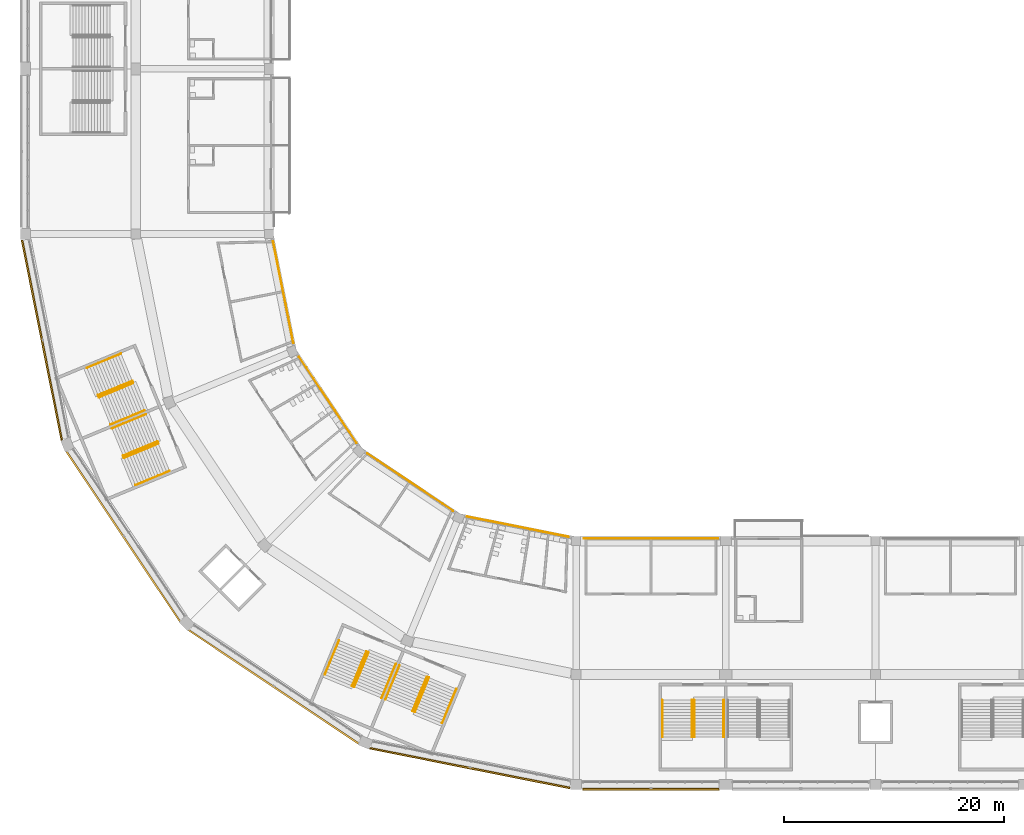
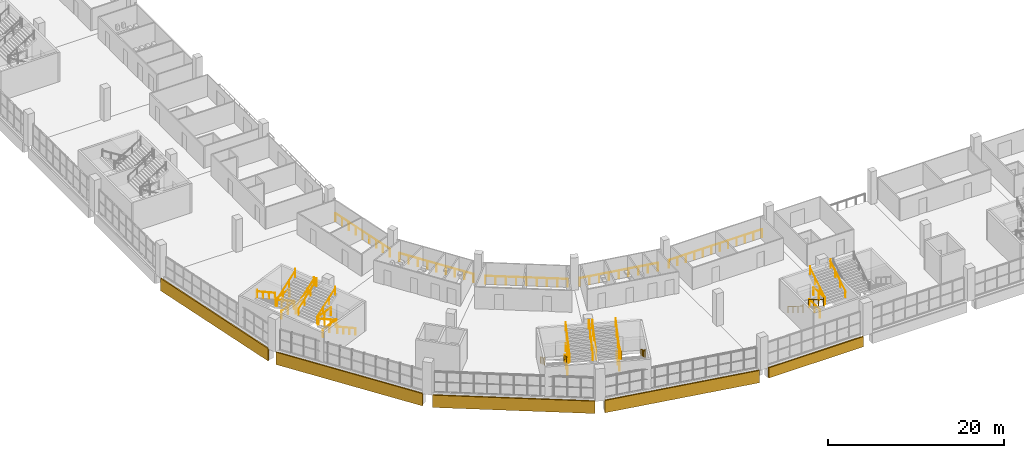
# One storey, part 183 of 199: 35 railings, 5 coverings.
"""IFC4 building model written with IfcOpenShell, lengths in metres."""

from ifc_helpers import new_model, si_unit, direction, frame, origin, origin_2d, place, context, subcontext, project, spatial, polyline, circle, outline, extrude, material, layer, layer_set, type_object, element, save


model = new_model("IFC4")

# Units and contexts
model_context = context("Model", 3, precision=1e-05, world=origin(), true_north=direction((0.0, 1.0)))
body_context = subcontext(model_context, "Body", "Model", "MODEL_VIEW")
ifc_project = project(units=[si_unit("LENGTHUNIT", "METRE"), si_unit("AREAUNIT", "SQUARE_METRE"), si_unit("VOLUMEUNIT", "CUBIC_METRE"), si_unit("PLANEANGLEUNIT", "RADIAN"), si_unit("MASSUNIT", "GRAM", prefix="KILO")], contexts=[model_context])

# Site, building, storey
site_placement = place(None, origin())
site = spatial("IfcSite", under=ifc_project, at=site_placement, CompositionType="ELEMENT")
building_placement = place(site_placement, origin())
building = spatial("IfcBuilding", under=site, at=building_placement, Name="Ogive Plaza Stadium", CompositionType="ELEMENT")
storey_placement = place(building_placement, frame((0.0, 0.0, 9.0)))
storey = spatial("IfcBuildingStorey", under=building, at=storey_placement, Name="L02", CompositionType="ELEMENT", Elevation=9.0)

# Railings
ifc_material_1 = material(Name="Steel ASTM A572 Grade 50", Category="steel")
railing_type_1 = type_object("IfcRailingType", Name="Guard 1100", PredefinedType="GUARDRAIL", material=ifc_material_1)
for number, where, name in (
    (1, (-23.375, -94.85009765625, 0.0), "Stair well guard ST16A L02"),
    (2, (-23.375, -95.81005859375, 2.25), "Stair well guard ST16A L02"),
):
    element("IfcRailing", number, at=place(storey_placement, frame(where)), inside=storey, type_object=railing_type_1, Name=name, PredefinedType="GUARDRAIL", context=body_context, shape_type="SweptSolid", body=[
        extrude(circle(Radius=0.02392578125, at=origin_2d()), frame((0.0, 0.0, 1.076171875), z_axis=(0.0, -1.0, 0.0), x_axis=(1.0, 0.0, 0.0)), (0.0, 0.0, 1.0), 2.39990234375),
        extrude(circle(Radius=0.02099609375, at=origin_2d()), origin(), (0.0, 0.0, 1.0), 1.052001953125),
        extrude(circle(Radius=0.02099609375, at=origin_2d()), frame((0.0, -1.199951171875, 0.0)), (0.0, 0.0, 1.0), 1.052001953125),
        extrude(circle(Radius=0.02099609375, at=origin_2d()), frame((0.0, -2.39990234375, 0.0)), (0.0, 0.0, 1.0), 1.052001953125),
    ])
for number, where, name in (
    (3, (-52.955078125, -90.48779296875, 0.0), "Stair well guard ST18A L02"),
    (4, (-53.322509765625, -91.374755859375, 2.25), "Stair well guard ST18A L02"),
    (5, (-47.4580078125, -92.764892578125, 0.0), "Stair well guard ST18B L02"),
    (6, (-47.825439453125, -93.651611328125, 2.25), "Stair well guard ST18B L02"),
):
    element("IfcRailing", number, at=place(storey_placement, frame(where)), inside=storey, type_object=railing_type_1, Name=name, PredefinedType="GUARDRAIL", context=body_context, shape_type="SweptSolid", body=[
        extrude(circle(Radius=0.02392578125, at=origin_2d()), frame((0.0, 0.0, 1.076171875), z_axis=(-0.382693194178, -0.923875488976, 0.0), x_axis=(0.923875488976, -0.382693194178, 0.0)), (0.0, 0.0, 1.0), 2.39990234375),
        extrude(circle(Radius=0.02099609375, at=origin_2d()), origin(), (0.0, 0.0, 1.0), 1.052001953125),
        extrude(circle(Radius=0.02099609375, at=origin_2d()), frame((-0.459228515625, -1.108642578125, 0.0)), (0.0, 0.0, 1.0), 1.052001953125),
        extrude(circle(Radius=0.02099609375, at=origin_2d()), frame((-0.91845703125, -2.21728515625, 0.0)), (0.0, 0.0, 1.0), 1.052001953125),
    ])
for number, where, name in (
    (7, (-74.264892578125, -65.9580078125, 0.0), "Stair well guard ST20A L02"),
    (8, (-75.151611328125, -66.325439453125, 2.25), "Stair well guard ST20A L02"),
    (9, (-71.98779296875, -71.455078125, 0.0), "Stair well guard ST20B L02"),
    (10, (-72.874755859375, -71.822509765625, 2.25), "Stair well guard ST20B L02"),
):
    element("IfcRailing", number, at=place(storey_placement, frame(where)), inside=storey, type_object=railing_type_1, Name=name, PredefinedType="GUARDRAIL", context=body_context, shape_type="SweptSolid", body=[
        extrude(circle(Radius=0.02392578125, at=origin_2d()), frame((0.0, 0.0, 1.076171875), z_axis=(-0.923875488976, -0.382693194178, 0.0), x_axis=(0.382693194178, -0.923875488976, 0.0)), (0.0, 0.0, 1.0), 2.39990234375),
        extrude(circle(Radius=0.02099609375, at=origin_2d()), origin(), (0.0, 0.0, 1.0), 1.052001953125),
        extrude(circle(Radius=0.02099609375, at=origin_2d()), frame((-1.108642578125, -0.459228515625, 0.0)), (0.0, 0.0, 1.0), 1.052001953125),
        extrude(circle(Radius=0.02099609375, at=origin_2d()), frame((-2.21728515625, -0.91845703125, 0.0)), (0.0, 0.0, 1.0), 1.052001953125),
    ])
railing_1_placement = place(storey_placement, frame((-21.10009765625, -80.14990234375, 0.0)))
element("IfcRailing", 11, at=railing_1_placement, inside=storey, type_object=railing_type_1, Name="Guard L02 B16", PredefinedType="GUARDRAIL", context=body_context, shape_type="SweptSolid", body=[
    extrude(circle(Radius=0.02392578125, at=origin_2d()), frame((0.0, 0.0, 1.076171875), z_axis=(-1.0, 0.0, 0.0), x_axis=(0.0, -1.0, 0.0)), (0.0, 0.0, 1.0), 12.199951171875),
    extrude(circle(Radius=0.02099609375, at=origin_2d()), origin(), (0.0, 0.0, 1.0), 1.052001953125),
    extrude(circle(Radius=0.02099609375, at=origin_2d()), frame((-1.109130859375, 0.0, 0.0)), (0.0, 0.0, 1.0), 1.052001953125),
    extrude(circle(Radius=0.02099609375, at=origin_2d()), frame((-2.21826171875, 0.0, 0.0)), (0.0, 0.0, 1.0), 1.052001953125),
    extrude(circle(Radius=0.02099609375, at=origin_2d()), frame((-3.3271484375, 0.0, 0.0)), (0.0, 0.0, 1.0), 1.052001953125),
    extrude(circle(Radius=0.02099609375, at=origin_2d()), frame((-4.436279296875, 0.0, 0.0)), (0.0, 0.0, 1.0), 1.052001953125),
    extrude(circle(Radius=0.02099609375, at=origin_2d()), frame((-5.54541015625, 0.0, 0.0)), (0.0, 0.0, 1.0), 1.052001953125),
    extrude(circle(Radius=0.02099609375, at=origin_2d()), frame((-6.654541015625, 0.0, 0.0)), (0.0, 0.0, 1.0), 1.052001953125),
    extrude(circle(Radius=0.02099609375, at=origin_2d()), frame((-7.763671875, 0.0, 0.0)), (0.0, 0.0, 1.0), 1.052001953125),
    extrude(circle(Radius=0.02099609375, at=origin_2d()), frame((-8.872802734375, 0.0, 0.0)), (0.0, 0.0, 1.0), 1.052001953125),
    extrude(circle(Radius=0.02099609375, at=origin_2d()), frame((-9.981689453125, 0.0, 0.0)), (0.0, 0.0, 1.0), 1.052001953125),
    extrude(circle(Radius=0.02099609375, at=origin_2d()), frame((-11.0908203125, 0.0, 0.0)), (0.0, 0.0, 1.0), 1.052001953125),
    extrude(circle(Radius=0.02099609375, at=origin_2d()), frame((-12.199951171875, 0.0, 0.0)), (0.0, 0.0, 1.0), 1.052001953125),
])
railing_2_placement = place(storey_placement, frame((-34.6865234375, -80.013427734375, 0.0)))
element("IfcRailing", 12, at=railing_2_placement, inside=storey, type_object=railing_type_1, Name="Guard L02 B17", PredefinedType="GUARDRAIL", context=body_context, shape_type="SweptSolid", body=[
    extrude(circle(Radius=0.02392578125, at=origin_2d()), frame((0.0, 0.0, 1.076171875), z_axis=(-0.980786170296, 0.19508584817, 0.0), x_axis=(-0.19508584817, -0.980786170296, 0.0)), (0.0, 0.0, 1.0), 9.388427734375),
    extrude(circle(Radius=0.02099609375, at=origin_2d()), origin(), (0.0, 0.0, 1.0), 1.052001953125),
    extrude(circle(Radius=0.02099609375, at=origin_2d()), frame((-1.15087890625, 0.22900390625, 0.0)), (0.0, 0.0, 1.0), 1.052001953125),
    extrude(circle(Radius=0.02099609375, at=origin_2d()), frame((-2.302001953125, 0.4580078125, 0.0)), (0.0, 0.0, 1.0), 1.052001953125),
    extrude(circle(Radius=0.02099609375, at=origin_2d()), frame((-3.453125, 0.686767578125, 0.0)), (0.0, 0.0, 1.0), 1.052001953125),
    extrude(circle(Radius=0.02099609375, at=origin_2d()), frame((-4.60400390625, 0.915771484375, 0.0)), (0.0, 0.0, 1.0), 1.052001953125),
    extrude(circle(Radius=0.02099609375, at=origin_2d()), frame((-5.7548828125, 1.144775390625, 0.0)), (0.0, 0.0, 1.0), 1.052001953125),
    extrude(circle(Radius=0.02099609375, at=origin_2d()), frame((-6.906005859375, 1.37353515625, 0.0)), (0.0, 0.0, 1.0), 1.052001953125),
    extrude(circle(Radius=0.02099609375, at=origin_2d()), frame((-8.05712890625, 1.6025390625, 0.0)), (0.0, 0.0, 1.0), 1.052001953125),
    extrude(circle(Radius=0.02099609375, at=origin_2d()), frame((-9.2080078125, 1.83154296875, 0.0)), (0.0, 0.0, 1.0), 1.052001953125),
])
railing_3_placement = place(storey_placement, frame((-45.163330078125, -77.65625, 0.0)))
element("IfcRailing", 13, at=railing_3_placement, inside=storey, type_object=railing_type_1, Name="Guard L02 B18", PredefinedType="GUARDRAIL", context=body_context, shape_type="SweptSolid", body=[
    extrude(circle(Radius=0.02392578125, at=origin_2d()), frame((0.0, 0.0, 1.076171875), z_axis=(-0.831473741836, 0.555564052686, 0.0), x_axis=(-0.555564052686, -0.831473741836, 0.0)), (0.0, 0.0, 1.0), 9.388427734375),
    extrude(circle(Radius=0.02099609375, at=origin_2d()), origin(), (0.0, 0.0, 1.0), 1.052001953125),
    extrude(circle(Radius=0.02099609375, at=origin_2d()), frame((-0.975830078125, 0.65185546875, 0.0)), (0.0, 0.0, 1.0), 1.052001953125),
    extrude(circle(Radius=0.02099609375, at=origin_2d()), frame((-1.95166015625, 1.303955078125, 0.0)), (0.0, 0.0, 1.0), 1.052001953125),
    extrude(circle(Radius=0.02099609375, at=origin_2d()), frame((-2.92724609375, 1.9560546875, 0.0)), (0.0, 0.0, 1.0), 1.052001953125),
    extrude(circle(Radius=0.02099609375, at=origin_2d()), frame((-3.903076171875, 2.60791015625, 0.0)), (0.0, 0.0, 1.0), 1.052001953125),
    extrude(circle(Radius=0.02099609375, at=origin_2d()), frame((-4.87890625, 3.259765625, 0.0)), (0.0, 0.0, 1.0), 1.052001953125),
    extrude(circle(Radius=0.02099609375, at=origin_2d()), frame((-5.8544921875, 3.911865234375, 0.0)), (0.0, 0.0, 1.0), 1.052001953125),
    extrude(circle(Radius=0.02099609375, at=origin_2d()), frame((-6.830322265625, 4.56396484375, 0.0)), (0.0, 0.0, 1.0), 1.052001953125),
    extrude(circle(Radius=0.02099609375, at=origin_2d()), frame((-7.80615234375, 5.2158203125, 0.0)), (0.0, 0.0, 1.0), 1.052001953125),
])
railing_4_placement = place(storey_placement, frame((-53.9404296875, -71.469482421875, 0.0)))
element("IfcRailing", 14, at=railing_4_placement, inside=storey, type_object=railing_type_1, Name="Guard L02 B19", PredefinedType="GUARDRAIL", context=body_context, shape_type="SweptSolid", body=[
    extrude(circle(Radius=0.02392578125, at=origin_2d()), frame((0.0, 0.0, 1.076171875), z_axis=(-0.555564052686, 0.831473741836, 0.0), x_axis=(-0.831473741836, -0.555564052686, 0.0)), (0.0, 0.0, 1.0), 9.388427734375),
    extrude(circle(Radius=0.02099609375, at=origin_2d()), origin(), (0.0, 0.0, 1.0), 1.052001953125),
    extrude(circle(Radius=0.02099609375, at=origin_2d()), frame((-0.65185546875, 0.975830078125, 0.0)), (0.0, 0.0, 1.0), 1.052001953125),
    extrude(circle(Radius=0.02099609375, at=origin_2d()), frame((-1.303955078125, 1.95166015625, 0.0)), (0.0, 0.0, 1.0), 1.052001953125),
    extrude(circle(Radius=0.02099609375, at=origin_2d()), frame((-1.9560546875, 2.92724609375, 0.0)), (0.0, 0.0, 1.0), 1.052001953125),
    extrude(circle(Radius=0.02099609375, at=origin_2d()), frame((-2.60791015625, 3.903076171875, 0.0)), (0.0, 0.0, 1.0), 1.052001953125),
    extrude(circle(Radius=0.02099609375, at=origin_2d()), frame((-3.259765625, 4.87890625, 0.0)), (0.0, 0.0, 1.0), 1.052001953125),
    extrude(circle(Radius=0.02099609375, at=origin_2d()), frame((-3.911865234375, 5.8544921875, 0.0)), (0.0, 0.0, 1.0), 1.052001953125),
    extrude(circle(Radius=0.02099609375, at=origin_2d()), frame((-4.56396484375, 6.830322265625, 0.0)), (0.0, 0.0, 1.0), 1.052001953125),
    extrude(circle(Radius=0.02099609375, at=origin_2d()), frame((-5.2158203125, 7.80615234375, 0.0)), (0.0, 0.0, 1.0), 1.052001953125),
])
railing_5_placement = place(storey_placement, frame((-59.681884765625, -62.39453125, 0.0)))
element("IfcRailing", 15, at=railing_5_placement, inside=storey, type_object=railing_type_1, Name="Guard L02 B20", PredefinedType="GUARDRAIL", context=body_context, shape_type="SweptSolid", body=[
    extrude(circle(Radius=0.02392578125, at=origin_2d()), frame((0.0, 0.0, 1.076171875), z_axis=(-0.19508584817, 0.980786170296, 0.0), x_axis=(-0.980786170296, -0.19508584817, 0.0)), (0.0, 0.0, 1.0), 9.388427734375),
    extrude(circle(Radius=0.02099609375, at=origin_2d()), origin(), (0.0, 0.0, 1.0), 1.052001953125),
    extrude(circle(Radius=0.02099609375, at=origin_2d()), frame((-0.22900390625, 1.15087890625, 0.0)), (0.0, 0.0, 1.0), 1.052001953125),
    extrude(circle(Radius=0.02099609375, at=origin_2d()), frame((-0.4580078125, 2.302001953125, 0.0)), (0.0, 0.0, 1.0), 1.052001953125),
    extrude(circle(Radius=0.02099609375, at=origin_2d()), frame((-0.686767578125, 3.453125, 0.0)), (0.0, 0.0, 1.0), 1.052001953125),
    extrude(circle(Radius=0.02099609375, at=origin_2d()), frame((-0.915771484375, 4.60400390625, 0.0)), (0.0, 0.0, 1.0), 1.052001953125),
    extrude(circle(Radius=0.02099609375, at=origin_2d()), frame((-1.144775390625, 5.7548828125, 0.0)), (0.0, 0.0, 1.0), 1.052001953125),
    extrude(circle(Radius=0.02099609375, at=origin_2d()), frame((-1.37353515625, 6.906005859375, 0.0)), (0.0, 0.0, 1.0), 1.052001953125),
    extrude(circle(Radius=0.02099609375, at=origin_2d()), frame((-1.6025390625, 8.05712890625, 0.0)), (0.0, 0.0, 1.0), 1.052001953125),
    extrude(circle(Radius=0.02099609375, at=origin_2d()), frame((-1.83154296875, 9.2080078125, 0.0)), (0.0, 0.0, 1.0), 1.052001953125),
])
ifc_material_2 = material(Name="Steel ASTM A572 Grade 50", Category="steel")
railing_type_2 = type_object("IfcRailingType", Name="Handrail 900", PredefinedType="HANDRAIL", material=ifc_material_2)
for number, where, name in (
    (16, (-26.1650390625, -94.85009765625, 0.173095703125), "Handrail ST16A L02"),
    (17, (-23.485107421875, -94.85009765625, 0.173095703125), "Handrail ST16A L02"),
):
    element("IfcRailing", number, at=place(storey_placement, frame(where)), inside=storey, type_object=railing_type_2, Name=name, PredefinedType="HANDRAIL", context=body_context, shape_type="SweptSolid", body=[
        extrude(circle(Radius=0.02392578125, at=origin_2d()), frame((0.0, 0.0, 0.8759765625), z_axis=(0.0, -0.850606129759, 0.525803396734), x_axis=(1.0, 0.0, 0.0)), (0.0, 0.0, 1.0), 3.949951171875),
        extrude(circle(Radius=0.02099609375, at=origin_2d()), origin(), (0.0, 0.0, 1.0), 0.851806640625),
        extrude(circle(Radius=0.02099609375, at=origin_2d()), frame((0.0, -1.119873046875, 0.6923828125)), (0.0, 0.0, 1.0), 0.851806640625),
        extrude(circle(Radius=0.02099609375, at=origin_2d()), frame((0.0, -2.239990234375, 1.384521484375)), (0.0, 0.0, 1.0), 0.851806640625),
        extrude(circle(Radius=0.02099609375, at=origin_2d()), frame((0.0, -3.35986328125, 2.076904296875)), (0.0, 0.0, 1.0), 1.10009765625),
    ])
for number, where, name in (
    (18, (-23.264892578125, -98.2099609375, 2.423095703125), "Handrail ST16A L02"),
    (19, (-20.5849609375, -98.2099609375, 2.423095703125), "Handrail ST16A L02"),
):
    element("IfcRailing", number, at=place(storey_placement, frame(where)), inside=storey, type_object=railing_type_2, Name=name, PredefinedType="HANDRAIL", context=body_context, shape_type="SweptSolid", body=[
        extrude(circle(Radius=0.02392578125, at=origin_2d()), frame((0.0, 0.0, 0.8759765625), z_axis=(0.0, 0.850606129759, 0.525803396734), x_axis=(-1.0, 0.0, 0.0)), (0.0, 0.0, 1.0), 3.949951171875),
        extrude(circle(Radius=0.02099609375, at=origin_2d()), origin(), (0.0, 0.0, 1.0), 0.851806640625),
        extrude(circle(Radius=0.02099609375, at=origin_2d()), frame((0.0, 1.119873046875, 0.6923828125)), (0.0, 0.0, 1.0), 0.851806640625),
        extrude(circle(Radius=0.02099609375, at=origin_2d()), frame((0.0, 2.239990234375, 1.384521484375)), (0.0, 0.0, 1.0), 0.851806640625),
        extrude(circle(Radius=0.02099609375, at=origin_2d()), frame((0.0, 3.35986328125, 2.076904296875)), (0.0, 0.0, 1.0), 1.10009765625),
    ])
railing_6_placement = place(storey_placement, frame((-55.53271484375, -89.420166015625, 0.173095703125)))
element("IfcRailing", 20, at=railing_6_placement, inside=storey, type_object=railing_type_2, Name="Handrail ST18A L02", PredefinedType="HANDRAIL", context=body_context, shape_type="SweptSolid", body=[
    extrude(circle(Radius=0.02392578125, at=origin_2d()), frame((0.0, 0.0, 0.8759765625), z_axis=(-0.32553207776, -0.785862990074, 0.525783441334), x_axis=(0.923872479269, -0.382700459954, 0.0)), (0.0, 0.0, 1.0), 3.9501953125),
    extrude(circle(Radius=0.02099609375, at=origin_2d()), origin(), (0.0, 0.0, 1.0), 0.851806640625),
    extrude(circle(Radius=0.02099609375, at=origin_2d()), frame((-0.4287109375, -1.03466796875, 0.6923828125)), (0.0, 0.0, 1.0), 0.851806640625),
    extrude(circle(Radius=0.02099609375, at=origin_2d()), frame((-0.857177734375, -2.069580078125, 1.384521484375)), (0.0, 0.0, 1.0), 0.851806640625),
    extrude(circle(Radius=0.02099609375, at=origin_2d()), frame((-1.285888671875, -3.104248046875, 2.076904296875)), (0.0, 0.0, 1.0), 1.10009765625),
])
railing_7_placement = place(storey_placement, frame((-53.056884765625, -90.44580078125, 0.173095703125)))
element("IfcRailing", 21, at=railing_7_placement, inside=storey, type_object=railing_type_2, Name="Handrail ST18A L02", PredefinedType="HANDRAIL", context=body_context, shape_type="SweptSolid", body=[
    extrude(circle(Radius=0.02392578125, at=origin_2d()), frame((0.0, 0.0, 0.8759765625), z_axis=(-0.325476819766, -0.785878800478, 0.525794019321), x_axis=(0.923898168054, -0.382638439086, 0.0)), (0.0, 0.0, 1.0), 3.949951171875),
    extrude(circle(Radius=0.02099609375, at=origin_2d()), origin(), (0.0, 0.0, 1.0), 0.851806640625),
    extrude(circle(Radius=0.02099609375, at=origin_2d()), frame((-0.428466796875, -1.03466796875, 0.6923828125)), (0.0, 0.0, 1.0), 0.851806640625),
    extrude(circle(Radius=0.02099609375, at=origin_2d()), frame((-0.857177734375, -2.069580078125, 1.384521484375)), (0.0, 0.0, 1.0), 0.851806640625),
    extrude(circle(Radius=0.02099609375, at=origin_2d()), frame((-1.28564453125, -3.104248046875, 2.076904296875)), (0.0, 0.0, 1.0), 1.10009765625),
])
railing_8_placement = place(storey_placement, frame((-54.139404296875, -93.634033203125, 2.423095703125)))
element("IfcRailing", 22, at=railing_8_placement, inside=storey, type_object=railing_type_2, Name="Handrail ST18A L02", PredefinedType="HANDRAIL", context=body_context, shape_type="SweptSolid", body=[
    extrude(circle(Radius=0.02392578125, at=origin_2d()), frame((0.0, 0.0, 0.8759765625), z_axis=(0.325547889718, 0.78583935255, 0.525808980033), x_axis=(-0.923861836433, 0.382726151683, 0.0)), (0.0, 0.0, 1.0), 3.949951171875),
    extrude(circle(Radius=0.02099609375, at=origin_2d()), origin(), (0.0, 0.0, 1.0), 0.851806640625),
    extrude(circle(Radius=0.02099609375, at=origin_2d()), frame((0.4287109375, 1.03466796875, 0.6923828125)), (0.0, 0.0, 1.0), 0.851806640625),
    extrude(circle(Radius=0.02099609375, at=origin_2d()), frame((0.857177734375, 2.0693359375, 1.384521484375)), (0.0, 0.0, 1.0), 0.851806640625),
    extrude(circle(Radius=0.02099609375, at=origin_2d()), frame((1.285888671875, 3.10400390625, 2.076904296875)), (0.0, 0.0, 1.0), 1.10009765625),
])
railing_9_placement = place(storey_placement, frame((-51.663330078125, -94.65966796875, 2.423095703125)))
element("IfcRailing", 23, at=railing_9_placement, inside=storey, type_object=railing_type_2, Name="Handrail ST18A L02", PredefinedType="HANDRAIL", context=body_context, shape_type="SweptSolid", body=[
    extrude(circle(Radius=0.02392578125, at=origin_2d()), frame((0.0, 0.0, 0.8759765625), z_axis=(0.32553207776, 0.785862990074, 0.525783441334), x_axis=(-0.923872479269, 0.382700459954, 0.0)), (0.0, 0.0, 1.0), 3.9501953125),
    extrude(circle(Radius=0.02099609375, at=origin_2d()), origin(), (0.0, 0.0, 1.0), 0.851806640625),
    extrude(circle(Radius=0.02099609375, at=origin_2d()), frame((0.4287109375, 1.03466796875, 0.6923828125)), (0.0, 0.0, 1.0), 0.851806640625),
    extrude(circle(Radius=0.02099609375, at=origin_2d()), frame((0.857177734375, 2.069580078125, 1.384521484375)), (0.0, 0.0, 1.0), 0.851806640625),
    extrude(circle(Radius=0.02099609375, at=origin_2d()), frame((1.285888671875, 3.104248046875, 2.076904296875)), (0.0, 0.0, 1.0), 1.10009765625),
])
for number, where, name in (
    (24, (-47.3564453125, -92.806884765625, 0.173095703125), "Handrail ST18B L02"),
    (25, (-44.88037109375, -93.83251953125, 0.173095703125), "Handrail ST18B L02"),
):
    element("IfcRailing", number, at=place(storey_placement, frame(where)), inside=storey, type_object=railing_type_2, Name=name, PredefinedType="HANDRAIL", context=body_context, shape_type="SweptSolid", body=[
        extrude(circle(Radius=0.02392578125, at=origin_2d()), frame((0.0, 0.0, 0.8759765625), z_axis=(-0.32553207776, -0.785862990074, 0.525783441334), x_axis=(0.923872479269, -0.382700459954, 0.0)), (0.0, 0.0, 1.0), 3.9501953125),
        extrude(circle(Radius=0.02099609375, at=origin_2d()), origin(), (0.0, 0.0, 1.0), 0.851806640625),
        extrude(circle(Radius=0.02099609375, at=origin_2d()), frame((-0.4287109375, -1.03466796875, 0.6923828125)), (0.0, 0.0, 1.0), 0.851806640625),
        extrude(circle(Radius=0.02099609375, at=origin_2d()), frame((-0.857177734375, -2.069580078125, 1.384521484375)), (0.0, 0.0, 1.0), 0.851806640625),
        extrude(circle(Radius=0.02099609375, at=origin_2d()), frame((-1.285888671875, -3.104248046875, 2.076904296875)), (0.0, 0.0, 1.0), 1.10009765625),
    ])
railing_10_placement = place(storey_placement, frame((-51.321533203125, -94.80126953125, 2.423095703125)))
element("IfcRailing", 26, at=railing_10_placement, inside=storey, type_object=railing_type_2, Name="Handrail ST18B L02", PredefinedType="HANDRAIL", context=body_context, shape_type="SweptSolid", body=[
    extrude(circle(Radius=0.02392578125, at=origin_2d()), frame((0.0, 0.0, 0.8759765625), z_axis=(0.32553207776, 0.785862990074, 0.525783441334), x_axis=(-0.923872479269, 0.382700459954, 0.0)), (0.0, 0.0, 1.0), 3.9501953125),
    extrude(circle(Radius=0.02099609375, at=origin_2d()), origin(), (0.0, 0.0, 1.0), 0.851806640625),
    extrude(circle(Radius=0.02099609375, at=origin_2d()), frame((0.4287109375, 1.03466796875, 0.6923828125)), (0.0, 0.0, 1.0), 0.851806640625),
    extrude(circle(Radius=0.02099609375, at=origin_2d()), frame((0.857177734375, 2.069580078125, 1.384521484375)), (0.0, 0.0, 1.0), 0.851806640625),
    extrude(circle(Radius=0.02099609375, at=origin_2d()), frame((1.285888671875, 3.104248046875, 2.076904296875)), (0.0, 0.0, 1.0), 1.10009765625),
])
railing_11_placement = place(storey_placement, frame((-48.845458984375, -95.826904296875, 2.423095703125)))
element("IfcRailing", 27, at=railing_11_placement, inside=storey, type_object=railing_type_2, Name="Handrail ST18B L02", PredefinedType="HANDRAIL", context=body_context, shape_type="SweptSolid", body=[
    extrude(circle(Radius=0.02392578125, at=origin_2d()), frame((0.0, 0.0, 0.8759765625), z_axis=(0.325476819766, 0.785878800478, 0.525794019321), x_axis=(-0.923898168054, 0.382638439086, 0.0)), (0.0, 0.0, 1.0), 3.949951171875),
    extrude(circle(Radius=0.02099609375, at=origin_2d()), origin(), (0.0, 0.0, 1.0), 0.851806640625),
    extrude(circle(Radius=0.02099609375, at=origin_2d()), frame((0.428466796875, 1.03466796875, 0.6923828125)), (0.0, 0.0, 1.0), 0.851806640625),
    extrude(circle(Radius=0.02099609375, at=origin_2d()), frame((0.857177734375, 2.069580078125, 1.384521484375)), (0.0, 0.0, 1.0), 0.851806640625),
    extrude(circle(Radius=0.02099609375, at=origin_2d()), frame((1.28564453125, 3.104248046875, 2.076904296875)), (0.0, 0.0, 1.0), 1.10009765625),
])
for number, where, name in (
    (28, (-75.33251953125, -63.38037109375, 0.173095703125), "Handrail ST20A L02"),
    (29, (-74.306884765625, -65.8564453125, 0.173095703125), "Handrail ST20A L02"),
):
    element("IfcRailing", number, at=place(storey_placement, frame(where)), inside=storey, type_object=railing_type_2, Name=name, PredefinedType="HANDRAIL", context=body_context, shape_type="SweptSolid", body=[
        extrude(circle(Radius=0.02392578125, at=origin_2d()), frame((0.0, 0.0, 0.8759765625), z_axis=(-0.785862990074, -0.32553207776, 0.525783441334), x_axis=(0.382700459954, -0.923872479269, 0.0)), (0.0, 0.0, 1.0), 3.9501953125),
        extrude(circle(Radius=0.02099609375, at=origin_2d()), origin(), (0.0, 0.0, 1.0), 0.851806640625),
        extrude(circle(Radius=0.02099609375, at=origin_2d()), frame((-1.03466796875, -0.4287109375, 0.6923828125)), (0.0, 0.0, 1.0), 0.851806640625),
        extrude(circle(Radius=0.02099609375, at=origin_2d()), frame((-2.069580078125, -0.857177734375, 1.384521484375)), (0.0, 0.0, 1.0), 0.851806640625),
        extrude(circle(Radius=0.02099609375, at=origin_2d()), frame((-3.104248046875, -1.285888671875, 2.076904296875)), (0.0, 0.0, 1.0), 1.10009765625),
    ])
railing_12_placement = place(storey_placement, frame((-77.326904296875, -67.345458984375, 2.423095703125)))
element("IfcRailing", 30, at=railing_12_placement, inside=storey, type_object=railing_type_2, Name="Handrail ST20A L02", PredefinedType="HANDRAIL", context=body_context, shape_type="SweptSolid", body=[
    extrude(circle(Radius=0.02392578125, at=origin_2d()), frame((0.0, 0.0, 0.8759765625), z_axis=(0.785878800478, 0.325476819766, 0.525794019321), x_axis=(-0.382638439086, 0.923898168054, 0.0)), (0.0, 0.0, 1.0), 3.949951171875),
    extrude(circle(Radius=0.02099609375, at=origin_2d()), origin(), (0.0, 0.0, 1.0), 0.851806640625),
    extrude(circle(Radius=0.02099609375, at=origin_2d()), frame((1.03466796875, 0.428466796875, 0.6923828125)), (0.0, 0.0, 1.0), 0.851806640625),
    extrude(circle(Radius=0.02099609375, at=origin_2d()), frame((2.069580078125, 0.857177734375, 1.384521484375)), (0.0, 0.0, 1.0), 0.851806640625),
    extrude(circle(Radius=0.02099609375, at=origin_2d()), frame((3.104248046875, 1.28564453125, 2.076904296875)), (0.0, 0.0, 1.0), 1.10009765625),
])
railing_13_placement = place(storey_placement, frame((-76.30126953125, -69.821533203125, 2.423095703125)))
element("IfcRailing", 31, at=railing_13_placement, inside=storey, type_object=railing_type_2, Name="Handrail ST20A L02", PredefinedType="HANDRAIL", context=body_context, shape_type="SweptSolid", body=[
    extrude(circle(Radius=0.02392578125, at=origin_2d()), frame((0.0, 0.0, 0.8759765625), z_axis=(0.785862990074, 0.32553207776, 0.525783441334), x_axis=(-0.382700459954, 0.923872479269, 0.0)), (0.0, 0.0, 1.0), 3.9501953125),
    extrude(circle(Radius=0.02099609375, at=origin_2d()), origin(), (0.0, 0.0, 1.0), 0.851806640625),
    extrude(circle(Radius=0.02099609375, at=origin_2d()), frame((1.03466796875, 0.4287109375, 0.6923828125)), (0.0, 0.0, 1.0), 0.851806640625),
    extrude(circle(Radius=0.02099609375, at=origin_2d()), frame((2.069580078125, 0.857177734375, 1.384521484375)), (0.0, 0.0, 1.0), 0.851806640625),
    extrude(circle(Radius=0.02099609375, at=origin_2d()), frame((3.104248046875, 1.285888671875, 2.076904296875)), (0.0, 0.0, 1.0), 1.10009765625),
])
railing_14_placement = place(storey_placement, frame((-71.94580078125, -71.556884765625, 0.173095703125)))
element("IfcRailing", 32, at=railing_14_placement, inside=storey, type_object=railing_type_2, Name="Handrail ST20B L02", PredefinedType="HANDRAIL", context=body_context, shape_type="SweptSolid", body=[
    extrude(circle(Radius=0.02392578125, at=origin_2d()), frame((0.0, 0.0, 0.8759765625), z_axis=(-0.785878800478, -0.325476819766, 0.525794019321), x_axis=(0.382638439086, -0.923898168054, 0.0)), (0.0, 0.0, 1.0), 3.949951171875),
    extrude(circle(Radius=0.02099609375, at=origin_2d()), origin(), (0.0, 0.0, 1.0), 0.851806640625),
    extrude(circle(Radius=0.02099609375, at=origin_2d()), frame((-1.03466796875, -0.428466796875, 0.6923828125)), (0.0, 0.0, 1.0), 0.851806640625),
    extrude(circle(Radius=0.02099609375, at=origin_2d()), frame((-2.069580078125, -0.857177734375, 1.384521484375)), (0.0, 0.0, 1.0), 0.851806640625),
    extrude(circle(Radius=0.02099609375, at=origin_2d()), frame((-3.104248046875, -1.28564453125, 2.076904296875)), (0.0, 0.0, 1.0), 1.10009765625),
])
railing_15_placement = place(storey_placement, frame((-70.920166015625, -74.03271484375, 0.173095703125)))
element("IfcRailing", 33, at=railing_15_placement, inside=storey, type_object=railing_type_2, Name="Handrail ST20B L02", PredefinedType="HANDRAIL", context=body_context, shape_type="SweptSolid", body=[
    extrude(circle(Radius=0.02392578125, at=origin_2d()), frame((0.0, 0.0, 0.8759765625), z_axis=(-0.785862990074, -0.32553207776, 0.525783441334), x_axis=(0.382700459954, -0.923872479269, 0.0)), (0.0, 0.0, 1.0), 3.9501953125),
    extrude(circle(Radius=0.02099609375, at=origin_2d()), origin(), (0.0, 0.0, 1.0), 0.851806640625),
    extrude(circle(Radius=0.02099609375, at=origin_2d()), frame((-1.03466796875, -0.4287109375, 0.6923828125)), (0.0, 0.0, 1.0), 0.851806640625),
    extrude(circle(Radius=0.02099609375, at=origin_2d()), frame((-2.069580078125, -0.857177734375, 1.384521484375)), (0.0, 0.0, 1.0), 0.851806640625),
    extrude(circle(Radius=0.02099609375, at=origin_2d()), frame((-3.104248046875, -1.285888671875, 2.076904296875)), (0.0, 0.0, 1.0), 1.10009765625),
])
railing_16_placement = place(storey_placement, frame((-76.15966796875, -70.163330078125, 2.423095703125)))
element("IfcRailing", 34, at=railing_16_placement, inside=storey, type_object=railing_type_2, Name="Handrail ST20B L02", PredefinedType="HANDRAIL", context=body_context, shape_type="SweptSolid", body=[
    extrude(circle(Radius=0.02392578125, at=origin_2d()), frame((0.0, 0.0, 0.8759765625), z_axis=(0.785862990074, 0.32553207776, 0.525783441334), x_axis=(-0.382700459954, 0.923872479269, 0.0)), (0.0, 0.0, 1.0), 3.9501953125),
    extrude(circle(Radius=0.02099609375, at=origin_2d()), origin(), (0.0, 0.0, 1.0), 0.851806640625),
    extrude(circle(Radius=0.02099609375, at=origin_2d()), frame((1.03466796875, 0.4287109375, 0.6923828125)), (0.0, 0.0, 1.0), 0.851806640625),
    extrude(circle(Radius=0.02099609375, at=origin_2d()), frame((2.069580078125, 0.857177734375, 1.384521484375)), (0.0, 0.0, 1.0), 0.851806640625),
    extrude(circle(Radius=0.02099609375, at=origin_2d()), frame((3.104248046875, 1.285888671875, 2.076904296875)), (0.0, 0.0, 1.0), 1.10009765625),
])
railing_17_placement = place(storey_placement, frame((-75.134033203125, -72.639404296875, 2.423095703125)))
element("IfcRailing", 35, at=railing_17_placement, inside=storey, type_object=railing_type_2, Name="Handrail ST20B L02", PredefinedType="HANDRAIL", context=body_context, shape_type="SweptSolid", body=[
    extrude(circle(Radius=0.02392578125, at=origin_2d()), frame((0.0, 0.0, 0.8759765625), z_axis=(0.78583935255, 0.325547889718, 0.525808980033), x_axis=(-0.382726151683, 0.923861836433, 0.0)), (0.0, 0.0, 1.0), 3.949951171875),
    extrude(circle(Radius=0.02099609375, at=origin_2d()), origin(), (0.0, 0.0, 1.0), 0.851806640625),
    extrude(circle(Radius=0.02099609375, at=origin_2d()), frame((1.03466796875, 0.4287109375, 0.6923828125)), (0.0, 0.0, 1.0), 0.851806640625),
    extrude(circle(Radius=0.02099609375, at=origin_2d()), frame((2.0693359375, 0.857177734375, 1.384521484375)), (0.0, 0.0, 1.0), 0.851806640625),
    extrude(circle(Radius=0.02099609375, at=origin_2d()), frame((3.10400390625, 1.285888671875, 2.076904296875)), (0.0, 0.0, 1.0), 1.10009765625),
])

# Coverings
ifc_material_3 = material(Name="Cast stone (reconstituted limestone)", Category="masonry")
ifc_layer = layer(ifc_material_3, 0.159912109375)
ifc_layer_set = layer_set([ifc_layer], Name="Precast spandrel cladding 160")
covering_type = type_object("IfcCoveringType", Name="Precast spandrel cladding 160", PredefinedType="CLADDING", material=ifc_layer_set)
covering_1_placement = place(storey_placement, frame((0.0, 0.0, -1.409912109375)))
element("IfcCovering", 36, at=covering_1_placement, inside=storey, type_object=covering_type, Name="SPANDREL CLADDING B16 L02", PredefinedType="CLADDING", context=body_context, shape_type="SweptSolid", body=[
    extrude(outline(polyline([(-21.0, -102.85009765625), (-33.39990234375, -102.85009765625), (-33.39990234375, -103.010009765625), (-21.0, -103.010009765625), (-21.0, -102.85009765625)])), origin(), (0.0, 0.0, 1.0), 1.409912109375),
])
covering_2_placement = place(storey_placement, frame((0.0, 0.0, -1.7099609375)))
element("IfcCovering", 37, at=covering_2_placement, inside=storey, type_object=covering_type, Name="SPANDREL CLADDING B17 L02", PredefinedType="CLADDING", context=body_context, shape_type="SweptSolid", body=[
    extrude(outline(polyline([(-34.550048828125, -102.74755859375), (-52.720703125, -99.133056640625), (-52.751953125, -99.2900390625), (-34.581298828125, -102.904296875), (-34.550048828125, -102.74755859375)])), origin(), (0.0, 0.0, 1.0), 1.7099609375),
])
covering_3_placement = place(storey_placement, frame((0.0, 0.0, -1.7099609375)))
element("IfcCovering", 38, at=covering_3_placement, inside=storey, type_object=covering_type, Name="SPANDREL CLADDING B18 L02", PredefinedType="CLADDING", context=body_context, shape_type="SweptSolid", body=[
    extrude(outline(polyline([(-53.737060546875, -98.712158203125), (-69.141357421875, -88.419189453125), (-69.230224609375, -88.55224609375), (-53.825927734375, -98.84521484375), (-53.737060546875, -98.712158203125)])), origin(), (0.0, 0.0, 1.0), 1.7099609375),
])
covering_4_placement = place(storey_placement, frame((0.0, 0.0, -1.7099609375)))
element("IfcCovering", 39, at=covering_4_placement, inside=storey, type_object=covering_type, Name="SPANDREL CLADDING B19 L02", PredefinedType="CLADDING", context=body_context, shape_type="SweptSolid", body=[
    extrude(outline(polyline([(-69.919189453125, -87.641357421875), (-80.212158203125, -72.237060546875), (-80.34521484375, -72.325927734375), (-70.05224609375, -87.730224609375), (-69.919189453125, -87.641357421875)])), origin(), (0.0, 0.0, 1.0), 1.7099609375),
])
covering_5_placement = place(storey_placement, frame((0.0, 0.0, -1.7099609375)))
element("IfcCovering", 40, at=covering_5_placement, inside=storey, type_object=covering_type, Name="SPANDREL CLADDING B20 L02", PredefinedType="CLADDING", context=body_context, shape_type="SweptSolid", body=[
    extrude(outline(polyline([(-80.633056640625, -71.220703125), (-84.24755859375, -53.050048828125), (-84.404296875, -53.081298828125), (-80.7900390625, -71.251953125), (-80.633056640625, -71.220703125)])), origin(), (0.0, 0.0, 1.0), 1.7099609375),
])

save(model, "model.ifc")
